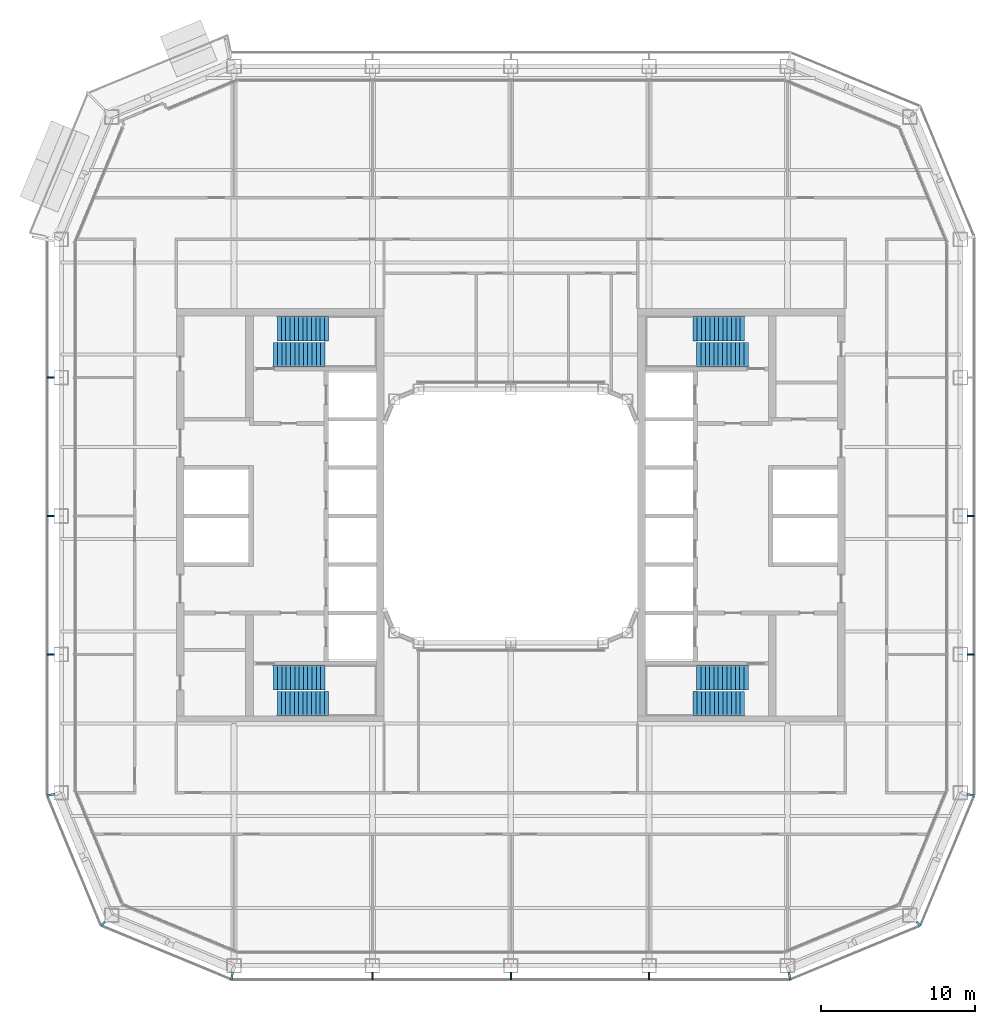
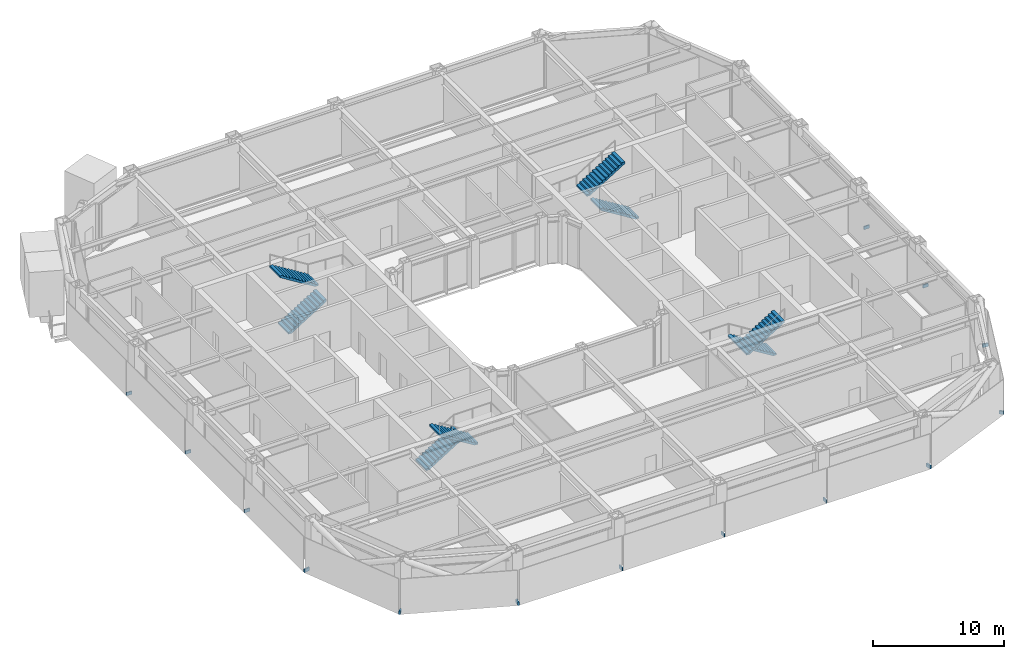
# One storey, part 15 of 23: 14 discrete accessories, 8 stair flights, 4 elements without a shape of their own.
"""IFC4 building model written with IfcOpenShell, lengths in metres."""

import ifcopenshell
import ifcopenshell.guid

model = None  # the IFC model being written
_history = None  # IfcOwnerHistory: only IFC2X3 demands one
_inside = {}  # id of a spatial element -> (the spatial element, [elements in it])
_under = {}  # id of a project, library or spatial element -> (it, [spatial elements below it])
_declared = {}  # id of a project -> (the project, [libraries it declares])
_typed = {}  # id of a type object -> (the type object, [elements of that type])
_made_of = {}  # id of a material, layer set ... -> (it, [elements and type objects made of it])


def new_model(schema):
    """Start an empty IFC model of exactly this schema.

    Asked for "IFC4X3", IfcOpenShell would pick the latest addendum, in which some entities
    have other attributes; the version numbers below select the first issue.
    IFC2X3 requires an IfcOwnerHistory on every rooted entity: one is made here for all.
    """
    global model, _history
    if schema == "IFC4X3":
        model = ifcopenshell.file(schema_version=(4, 3, 0, 0))
    else:
        model = ifcopenshell.file(schema=schema)
    _inside.clear()
    _under.clear()
    _declared.clear()
    _typed.clear()
    _made_of.clear()
    _history = None
    if model.schema == "IFC2X3":
        org = make("IfcOrganization", Name="unknown")
        user = make(
            "IfcPersonAndOrganization",
            ThePerson=make("IfcPerson", FamilyName="unknown"),
            TheOrganization=org,
        )
        app = make(
            "IfcApplication",
            ApplicationDeveloper=org,
            Version="unknown",
            ApplicationFullName="unknown",
            ApplicationIdentifier="unknown",
        )
        _history = make(
            "IfcOwnerHistory",
            OwningUser=user,
            OwningApplication=app,
            ChangeAction="ADDED",
            CreationDate=0,
        )
    return model


def make(cls, **values):
    """One entity of the class cls with the attributes given. An attribute that is None is left unset."""
    return model.create_entity(
        cls, **{name: value for name, value in values.items() if value is not None}
    )


def rooted(cls, **values):
    """An entity with a GlobalId (a new one), such as an element, a storey or a relation."""
    return make(cls, GlobalId=ifcopenshell.guid.new(), OwnerHistory=_history, **values)


def si_unit(unit_type, name, prefix=None):
    """IfcSIUnit, for example si_unit("LENGTHUNIT", "METRE", prefix="MILLI")."""
    return make("IfcSIUnit", UnitType=unit_type, Prefix=prefix, Name=name)


def assignment(units):
    """IfcUnitAssignment: the units of a project."""
    return None if units is None else make("IfcUnitAssignment", Units=units)


def point(xyz):
    """IfcCartesianPoint."""
    return None if xyz is None else make("IfcCartesianPoint", Coordinates=xyz)


def direction(xyz):
    """IfcDirection."""
    return None if xyz is None else make("IfcDirection", DirectionRatios=xyz)


def frame(location, z_axis=None, x_axis=None):
    """IfcAxis2Placement3D, a coordinate frame: its origin and axes. An axis left out is left unset."""
    return make(
        "IfcAxis2Placement3D",
        Location=point(location),
        Axis=direction(z_axis),
        RefDirection=direction(x_axis),
    )


def frame_2d(location, x_axis=None):
    """IfcAxis2Placement2D, a coordinate frame in the plane: its origin and x axis."""
    return make(
        "IfcAxis2Placement2D", Location=point(location), RefDirection=direction(x_axis)
    )


def origin():
    """The frame at (0, 0, 0) with its axes left unset."""
    return frame((0.0, 0.0, 0.0))


def origin_2d():
    """The frame at (0, 0) in the plane with its x axis left unset."""
    return frame_2d((0.0, 0.0))


def place(relative_to, where):
    """IfcLocalPlacement: puts the frame where relative to a parent placement (None: the world)."""
    return make(
        "IfcLocalPlacement", PlacementRelTo=relative_to, RelativePlacement=where
    )


def context(
    kind, dimensions, precision=None, world=None, true_north=None, identifier=None
):
    """IfcGeometricRepresentationContext, for example the 3D "Model" context."""
    return make(
        "IfcGeometricRepresentationContext",
        ContextIdentifier=identifier,
        ContextType=kind,
        CoordinateSpaceDimension=dimensions,
        Precision=precision,
        WorldCoordinateSystem=world,
        TrueNorth=true_north,
    )


def subcontext(parent, identifier, kind, view, scale=None):
    """IfcGeometricRepresentationSubContext, for example "Body" below "Model"."""
    return make(
        "IfcGeometricRepresentationSubContext",
        ContextIdentifier=identifier,
        ContextType=kind,
        ParentContext=parent,
        TargetScale=scale,
        TargetView=view,
    )


def project(units=None, contexts=None):
    """IfcProject with its units and contexts."""
    return rooted(
        "IfcProject",
        Name="project",
        RepresentationContexts=contexts,
        UnitsInContext=assignment(units),
    )


def spatial(cls, under=None, at=None, **own):
    """A site, building, storey or space (cls), placed at a placement, below another one or the project."""
    s = rooted(cls, ObjectPlacement=at, **own)
    if under is not None:
        _under.setdefault(under.id(), (under, []))[1].append(s)
    return s


def polyline(points):
    """IfcPolyline through the points."""
    return make("IfcPolyline", Points=[point(p) for p in points])


def profile(cls, at=None, kind="AREA", **sizes):
    """A parametric profile (cls). Its sizes go by their IFC names, for example OverallWidth=200.0."""
    return make(cls, ProfileType=kind, Position=at, **sizes)


def rectangle(**sizes):
    """IfcRectangleProfileDef."""
    return profile("IfcRectangleProfileDef", **sizes)


def outline(outer, holes=None, kind="AREA"):
    """IfcArbitraryClosedProfileDef: a profile drawn as a closed curve; with holes, ...WithVoids."""
    if holes is None:
        return make("IfcArbitraryClosedProfileDef", ProfileType=kind, OuterCurve=outer)
    return make(
        "IfcArbitraryProfileDefWithVoids",
        ProfileType=kind,
        OuterCurve=outer,
        InnerCurves=holes,
    )


def extrude(swept, where, along, depth):
    """IfcExtrudedAreaSolid: the profile swept, set in the frame where, extruded along a direction by depth."""
    return make(
        "IfcExtrudedAreaSolid",
        SweptArea=swept,
        Position=where,
        ExtrudedDirection=direction(along),
        Depth=depth,
    )


def shape(context_of_items, identifier, shape_type, items):
    """IfcShapeRepresentation: the items that make up one representation, for example the "Body"."""
    return make(
        "IfcShapeRepresentation",
        ContextOfItems=context_of_items,
        RepresentationIdentifier=identifier,
        RepresentationType=shape_type,
        Items=items,
    )


def material(Name=None, Category=None):
    """IfcMaterial."""
    return make("IfcMaterial", Name=Name, Category=Category)


def made_of(thing, what):
    """Note that an element or type object is made of a material, layer set ...; save() writes the relation."""
    if what is not None:
        _made_of.setdefault(what.id(), (what, []))[1].append(thing)
    return thing


def type_object(cls, material=None, **own):
    """A type object (cls), such as IfcWallType, which elements share."""
    return made_of(rooted(cls, **own), material)


def element(
    cls,
    number,
    at=None,
    inside=None,
    cuts=None,
    type_object=None,
    material=None,
    context=None,
    identifier="Body",
    shape_type=None,
    held_by="IfcProductDefinitionShape",
    body=None,
    shapes=None,
    **own,
):
    """One element of the class cls, such as IfcWall. Its Tag is "e" and its number.

    at: its placement. inside: the storey or other place that contains it. cuts: it is an
    opening in that element (IfcRelVoidsElement). A single representation is given by context,
    identifier, shape_type and body (its items); several are given by shapes. held_by: the class
    of the entity that holds the representations. save() writes the other relations.
    """
    e = rooted(cls, Tag="e%d" % number, ObjectPlacement=at, **own)
    if body is not None:
        shapes = [shape(context, identifier, shape_type, body)]
    if shapes is not None:
        e.Representation = make(held_by, Representations=shapes)
    if inside is not None:
        _inside.setdefault(inside.id(), (inside, []))[1].append(e)
    if cuts is not None:
        rooted(
            "IfcRelVoidsElement", RelatingBuildingElement=cuts, RelatedOpeningElement=e
        )
    if type_object is not None:
        _typed.setdefault(type_object.id(), (type_object, []))[1].append(e)
    return made_of(e, material)


def aggregate(whole, parts):
    """IfcRelAggregates: a whole, such as a stair, and the parts it consists of."""
    return rooted("IfcRelAggregates", RelatingObject=whole, RelatedObjects=parts)


def save(model, path):
    """Write the relations noted so far, then the file.

    IfcRelAggregates (storeys below a building ...), IfcRelContainedInSpatialStructure (elements
    in a storey), IfcRelDefinesByType, IfcRelAssociatesMaterial and IfcRelDeclares: one each for
    every whole, place, type object, material and project.
    """
    for whole, parts in _under.values():
        aggregate(whole, parts)
    for where, things in _inside.values():
        rooted(
            "IfcRelContainedInSpatialStructure",
            RelatedElements=things,
            RelatingStructure=where,
        )
    for kind, things in _typed.values():
        rooted("IfcRelDefinesByType", RelatedObjects=things, RelatingType=kind)
    for what, things in _made_of.values():
        rooted("IfcRelAssociatesMaterial", RelatedObjects=things, RelatingMaterial=what)
    for by, libraries in _declared.values():
        rooted("IfcRelDeclares", RelatingContext=by, RelatedDefinitions=libraries)
    model.write(path)


model = new_model("IFC4")

# Units and contexts
model_context = context("Model", 3, precision=1e-05, world=origin(), true_north=direction((0.0, 1.0)))
body_context = subcontext(model_context, "Body", "Model", "MODEL_VIEW")
ifc_project = project(units=[si_unit("LENGTHUNIT", "METRE"), si_unit("AREAUNIT", "SQUARE_METRE"), si_unit("VOLUMEUNIT", "CUBIC_METRE"), si_unit("PLANEANGLEUNIT", "RADIAN"), si_unit("MASSUNIT", "GRAM", prefix="KILO")], contexts=[model_context])

# Site, building, storey
site_placement = place(None, origin())
site = spatial("IfcSite", under=ifc_project, at=site_placement, CompositionType="ELEMENT")
building_placement = place(site_placement, origin())
building = spatial("IfcBuilding", under=site, at=building_placement, Name="Siwar Civic Tower", CompositionType="ELEMENT")
storey_placement = place(building_placement, frame((0.0, 0.0, 118.199951171875)))
storey = spatial("IfcBuildingStorey", under=building, at=storey_placement, Name="L25", CompositionType="ELEMENT", Elevation=118.199951171875)

# Stair, stair flights
ifc_material_1 = material(Name="Concrete C40/50", Category="concrete")
stair_type = type_object("IfcStairType", Name="CORE-STAIR", PredefinedType="TWO_STRAIGHT_RUN_STAIR", material=ifc_material_1)
stair_1_placement = place(storey_placement, origin())
stair_1 = element("IfcStair", 1, at=stair_1_placement, inside=storey, type_object=stair_type, Name="Exit stair ST1", PredefinedType="TWO_STRAIGHT_RUN_STAIR")
ifc_material_2 = material(Name="Concrete C40/50", Category="concrete")
stair_flight_type = type_object("IfcStairFlightType", Name="CORE-STAIR-FLIGHT", PredefinedType="STRAIGHT", material=ifc_material_2)
stair_flight_1_placement = place(storey_placement, frame((-15.449951171875, 10.5, 0.0), z_axis=(0.0, 0.0, 1.0), x_axis=(1.0, 0.0, 0.0)))
stair_flight_1 = element("IfcStairFlight", 2, at=stair_flight_1_placement, type_object=stair_flight_type, Name="ST1 flight 1", NumberOfRisers=13, NumberOfTreads=12, PredefinedType="STRAIGHT", RiserHeight=0.173076923, TreadLength=0.28, context=body_context, shape_type="SweptSolid", body=[
    extrude(outline(polyline([(0.0, 0.0), (0.0, 0.173095703125), (0.280029296875, 0.173095703125), (0.280029296875, 0.34619140625), (0.56005859375, 0.34619140625), (0.56005859375, 0.519287109375), (0.840087890625, 0.519287109375), (0.840087890625, 0.6923828125), (1.1201171875, 0.6923828125), (1.1201171875, 0.865478515625), (1.39990234375, 0.865478515625), (1.39990234375, 1.03857421875), (1.679931640625, 1.03857421875), (1.679931640625, 1.21142578125), (1.9599609375, 1.21142578125), (1.9599609375, 1.384521484375), (2.239990234375, 1.384521484375), (2.239990234375, 1.5576171875), (2.52001953125, 1.5576171875), (2.52001953125, 1.730712890625), (2.800048828125, 1.730712890625), (2.800048828125, 1.90380859375), (3.080078125, 1.90380859375), (3.080078125, 2.076904296875), (3.360107421875, 2.076904296875), (3.360107421875, 2.25), (3.360107421875, 1.900634765625), (0.28515625, 0.0), (0.0, 0.0)])), frame((0.0, 0.800048828125, 0.0), z_axis=(0.0, -1.0, 0.0), x_axis=(1.0, 0.0, 0.0)), (0.0, 0.0, 1.0), 1.60009765625),
])
stair_flight_2_placement = place(storey_placement, frame((-11.840087890625, 12.199951171875, 2.25), z_axis=(0.0, 0.0, 1.0), x_axis=(-1.0, 0.0, 0.0)))
stair_flight_2 = element("IfcStairFlight", 3, at=stair_flight_2_placement, type_object=stair_flight_type, Name="ST1 flight 2", NumberOfRisers=13, NumberOfTreads=12, PredefinedType="STRAIGHT", RiserHeight=0.173076923, TreadLength=0.28, context=body_context, shape_type="SweptSolid", body=[
    extrude(outline(polyline([(0.0, 0.0), (0.0, 0.173095703125), (0.280029296875, 0.173095703125), (0.280029296875, 0.34619140625), (0.56005859375, 0.34619140625), (0.56005859375, 0.519287109375), (0.840087890625, 0.519287109375), (0.840087890625, 0.6923828125), (1.1201171875, 0.6923828125), (1.1201171875, 0.865478515625), (1.39990234375, 0.865478515625), (1.39990234375, 1.03857421875), (1.679931640625, 1.03857421875), (1.679931640625, 1.21142578125), (1.9599609375, 1.21142578125), (1.9599609375, 1.384521484375), (2.239990234375, 1.384521484375), (2.239990234375, 1.5576171875), (2.52001953125, 1.5576171875), (2.52001953125, 1.730712890625), (2.800048828125, 1.730712890625), (2.800048828125, 1.90380859375), (3.080078125, 1.90380859375), (3.080078125, 2.076904296875), (3.360107421875, 2.076904296875), (3.360107421875, 2.25), (3.360107421875, 1.900634765625), (0.28515625, 0.0), (0.0, 0.0)])), frame((0.0, 0.800048828125, 0.0), z_axis=(0.0, -1.0, 0.0), x_axis=(1.0, 0.0, 0.0)), (0.0, 0.0, 1.0), 1.60009765625),
])
aggregate(stair_1, [stair_flight_1, stair_flight_2])

stair_2_placement = place(storey_placement, origin())
stair_2 = element("IfcStair", 4, at=stair_2_placement, inside=storey, type_object=stair_type, Name="Exit stair ST2", PredefinedType="TWO_STRAIGHT_RUN_STAIR")
stair_flight_3_placement = place(storey_placement, frame((-15.449951171875, -10.5, 0.0), z_axis=(0.0, 0.0, 1.0), x_axis=(1.0, 0.0, 0.0)))
stair_flight_3 = element("IfcStairFlight", 5, at=stair_flight_3_placement, type_object=stair_flight_type, Name="ST2 flight 1", NumberOfRisers=13, NumberOfTreads=12, PredefinedType="STRAIGHT", RiserHeight=0.173076923, TreadLength=0.28, context=body_context, shape_type="SweptSolid", body=[
    extrude(outline(polyline([(0.0, 0.0), (0.0, 0.173095703125), (0.280029296875, 0.173095703125), (0.280029296875, 0.34619140625), (0.56005859375, 0.34619140625), (0.56005859375, 0.519287109375), (0.840087890625, 0.519287109375), (0.840087890625, 0.6923828125), (1.1201171875, 0.6923828125), (1.1201171875, 0.865478515625), (1.39990234375, 0.865478515625), (1.39990234375, 1.03857421875), (1.679931640625, 1.03857421875), (1.679931640625, 1.21142578125), (1.9599609375, 1.21142578125), (1.9599609375, 1.384521484375), (2.239990234375, 1.384521484375), (2.239990234375, 1.5576171875), (2.52001953125, 1.5576171875), (2.52001953125, 1.730712890625), (2.800048828125, 1.730712890625), (2.800048828125, 1.90380859375), (3.080078125, 1.90380859375), (3.080078125, 2.076904296875), (3.360107421875, 2.076904296875), (3.360107421875, 2.25), (3.360107421875, 1.900634765625), (0.28515625, 0.0), (0.0, 0.0)])), frame((0.0, 0.800048828125, 0.0), z_axis=(0.0, -1.0, 0.0), x_axis=(1.0, 0.0, 0.0)), (0.0, 0.0, 1.0), 1.60009765625),
])
stair_flight_4_placement = place(storey_placement, frame((-11.840087890625, -12.199951171875, 2.25), z_axis=(0.0, 0.0, 1.0), x_axis=(-1.0, 0.0, 0.0)))
stair_flight_4 = element("IfcStairFlight", 6, at=stair_flight_4_placement, type_object=stair_flight_type, Name="ST2 flight 2", NumberOfRisers=13, NumberOfTreads=12, PredefinedType="STRAIGHT", RiserHeight=0.173076923, TreadLength=0.28, context=body_context, shape_type="SweptSolid", body=[
    extrude(outline(polyline([(0.0, 0.0), (0.0, 0.173095703125), (0.280029296875, 0.173095703125), (0.280029296875, 0.34619140625), (0.56005859375, 0.34619140625), (0.56005859375, 0.519287109375), (0.840087890625, 0.519287109375), (0.840087890625, 0.6923828125), (1.1201171875, 0.6923828125), (1.1201171875, 0.865478515625), (1.39990234375, 0.865478515625), (1.39990234375, 1.03857421875), (1.679931640625, 1.03857421875), (1.679931640625, 1.21142578125), (1.9599609375, 1.21142578125), (1.9599609375, 1.384521484375), (2.239990234375, 1.384521484375), (2.239990234375, 1.5576171875), (2.52001953125, 1.5576171875), (2.52001953125, 1.730712890625), (2.800048828125, 1.730712890625), (2.800048828125, 1.90380859375), (3.080078125, 1.90380859375), (3.080078125, 2.076904296875), (3.360107421875, 2.076904296875), (3.360107421875, 2.25), (3.360107421875, 1.900634765625), (0.28515625, 0.0), (0.0, 0.0)])), frame((0.0, 0.800048828125, 0.0), z_axis=(0.0, -1.0, 0.0), x_axis=(1.0, 0.0, 0.0)), (0.0, 0.0, 1.0), 1.60009765625),
])
aggregate(stair_2, [stair_flight_3, stair_flight_4])

stair_3_placement = place(storey_placement, origin())
stair_3 = element("IfcStair", 7, at=stair_3_placement, inside=storey, type_object=stair_type, Name="Exit stair ST3", PredefinedType="TWO_STRAIGHT_RUN_STAIR")
stair_flight_5_placement = place(storey_placement, frame((15.449951171875, 10.5, 0.0), z_axis=(0.0, 0.0, 1.0), x_axis=(-1.0, 0.0, 0.0)))
stair_flight_5 = element("IfcStairFlight", 8, at=stair_flight_5_placement, type_object=stair_flight_type, Name="ST3 flight 1", NumberOfRisers=13, NumberOfTreads=12, PredefinedType="STRAIGHT", RiserHeight=0.173076923, TreadLength=0.28, context=body_context, shape_type="SweptSolid", body=[
    extrude(outline(polyline([(0.0, 0.0), (0.0, 0.173095703125), (0.280029296875, 0.173095703125), (0.280029296875, 0.34619140625), (0.56005859375, 0.34619140625), (0.56005859375, 0.519287109375), (0.840087890625, 0.519287109375), (0.840087890625, 0.6923828125), (1.1201171875, 0.6923828125), (1.1201171875, 0.865478515625), (1.39990234375, 0.865478515625), (1.39990234375, 1.03857421875), (1.679931640625, 1.03857421875), (1.679931640625, 1.21142578125), (1.9599609375, 1.21142578125), (1.9599609375, 1.384521484375), (2.239990234375, 1.384521484375), (2.239990234375, 1.5576171875), (2.52001953125, 1.5576171875), (2.52001953125, 1.730712890625), (2.800048828125, 1.730712890625), (2.800048828125, 1.90380859375), (3.080078125, 1.90380859375), (3.080078125, 2.076904296875), (3.360107421875, 2.076904296875), (3.360107421875, 2.25), (3.360107421875, 1.900634765625), (0.28515625, 0.0), (0.0, 0.0)])), frame((0.0, 0.800048828125, 0.0), z_axis=(0.0, -1.0, 0.0), x_axis=(1.0, 0.0, 0.0)), (0.0, 0.0, 1.0), 1.60009765625),
])
stair_flight_6_placement = place(storey_placement, frame((11.840087890625, 12.199951171875, 2.25), z_axis=(0.0, 0.0, 1.0), x_axis=(1.0, 0.0, 0.0)))
stair_flight_6 = element("IfcStairFlight", 9, at=stair_flight_6_placement, type_object=stair_flight_type, Name="ST3 flight 2", NumberOfRisers=13, NumberOfTreads=12, PredefinedType="STRAIGHT", RiserHeight=0.173076923, TreadLength=0.28, context=body_context, shape_type="SweptSolid", body=[
    extrude(outline(polyline([(0.0, 0.0), (0.0, 0.173095703125), (0.280029296875, 0.173095703125), (0.280029296875, 0.34619140625), (0.56005859375, 0.34619140625), (0.56005859375, 0.519287109375), (0.840087890625, 0.519287109375), (0.840087890625, 0.6923828125), (1.1201171875, 0.6923828125), (1.1201171875, 0.865478515625), (1.39990234375, 0.865478515625), (1.39990234375, 1.03857421875), (1.679931640625, 1.03857421875), (1.679931640625, 1.21142578125), (1.9599609375, 1.21142578125), (1.9599609375, 1.384521484375), (2.239990234375, 1.384521484375), (2.239990234375, 1.5576171875), (2.52001953125, 1.5576171875), (2.52001953125, 1.730712890625), (2.800048828125, 1.730712890625), (2.800048828125, 1.90380859375), (3.080078125, 1.90380859375), (3.080078125, 2.076904296875), (3.360107421875, 2.076904296875), (3.360107421875, 2.25), (3.360107421875, 1.900634765625), (0.28515625, 0.0), (0.0, 0.0)])), frame((0.0, 0.800048828125, 0.0), z_axis=(0.0, -1.0, 0.0), x_axis=(1.0, 0.0, 0.0)), (0.0, 0.0, 1.0), 1.60009765625),
])
aggregate(stair_3, [stair_flight_5, stair_flight_6])

stair_4_placement = place(storey_placement, origin())
stair_4 = element("IfcStair", 10, at=stair_4_placement, inside=storey, type_object=stair_type, Name="Exit stair ST4", PredefinedType="TWO_STRAIGHT_RUN_STAIR")
stair_flight_7_placement = place(storey_placement, frame((15.449951171875, -10.5, 0.0), z_axis=(0.0, 0.0, 1.0), x_axis=(-1.0, 0.0, 0.0)))
stair_flight_7 = element("IfcStairFlight", 11, at=stair_flight_7_placement, type_object=stair_flight_type, Name="ST4 flight 1", NumberOfRisers=13, NumberOfTreads=12, PredefinedType="STRAIGHT", RiserHeight=0.173076923, TreadLength=0.28, context=body_context, shape_type="SweptSolid", body=[
    extrude(outline(polyline([(0.0, 0.0), (0.0, 0.173095703125), (0.280029296875, 0.173095703125), (0.280029296875, 0.34619140625), (0.56005859375, 0.34619140625), (0.56005859375, 0.519287109375), (0.840087890625, 0.519287109375), (0.840087890625, 0.6923828125), (1.1201171875, 0.6923828125), (1.1201171875, 0.865478515625), (1.39990234375, 0.865478515625), (1.39990234375, 1.03857421875), (1.679931640625, 1.03857421875), (1.679931640625, 1.21142578125), (1.9599609375, 1.21142578125), (1.9599609375, 1.384521484375), (2.239990234375, 1.384521484375), (2.239990234375, 1.5576171875), (2.52001953125, 1.5576171875), (2.52001953125, 1.730712890625), (2.800048828125, 1.730712890625), (2.800048828125, 1.90380859375), (3.080078125, 1.90380859375), (3.080078125, 2.076904296875), (3.360107421875, 2.076904296875), (3.360107421875, 2.25), (3.360107421875, 1.900634765625), (0.28515625, 0.0), (0.0, 0.0)])), frame((0.0, 0.800048828125, 0.0), z_axis=(0.0, -1.0, 0.0), x_axis=(1.0, 0.0, 0.0)), (0.0, 0.0, 1.0), 1.60009765625),
])
stair_flight_8_placement = place(storey_placement, frame((11.840087890625, -12.199951171875, 2.25), z_axis=(0.0, 0.0, 1.0), x_axis=(1.0, 0.0, 0.0)))
stair_flight_8 = element("IfcStairFlight", 12, at=stair_flight_8_placement, type_object=stair_flight_type, Name="ST4 flight 2", NumberOfRisers=13, NumberOfTreads=12, PredefinedType="STRAIGHT", RiserHeight=0.173076923, TreadLength=0.28, context=body_context, shape_type="SweptSolid", body=[
    extrude(outline(polyline([(0.0, 0.0), (0.0, 0.173095703125), (0.280029296875, 0.173095703125), (0.280029296875, 0.34619140625), (0.56005859375, 0.34619140625), (0.56005859375, 0.519287109375), (0.840087890625, 0.519287109375), (0.840087890625, 0.6923828125), (1.1201171875, 0.6923828125), (1.1201171875, 0.865478515625), (1.39990234375, 0.865478515625), (1.39990234375, 1.03857421875), (1.679931640625, 1.03857421875), (1.679931640625, 1.21142578125), (1.9599609375, 1.21142578125), (1.9599609375, 1.384521484375), (2.239990234375, 1.384521484375), (2.239990234375, 1.5576171875), (2.52001953125, 1.5576171875), (2.52001953125, 1.730712890625), (2.800048828125, 1.730712890625), (2.800048828125, 1.90380859375), (3.080078125, 1.90380859375), (3.080078125, 2.076904296875), (3.360107421875, 2.076904296875), (3.360107421875, 2.25), (3.360107421875, 1.900634765625), (0.28515625, 0.0), (0.0, 0.0)])), frame((0.0, 0.800048828125, 0.0), z_axis=(0.0, -1.0, 0.0), x_axis=(1.0, 0.0, 0.0)), (0.0, 0.0, 1.0), 1.60009765625),
])
aggregate(stair_4, [stair_flight_7, stair_flight_8])

# Discrete accessories
ifc_material_3 = material(Name="Stainless steel 316", Category="steel")
discrete_accessory_type = type_object("IfcDiscreteAccessoryType", Name="ENV-BRACKET", PredefinedType="BRACKET", material=ifc_material_3)
for number, where, z_axis, x_axis, name in (
    (13, (29.9150390625, -9.0, -0.14990234375), (0.0, 0.0, 1.0), (1.0, 0.0, 0.0), "Bracket outer skin joint E-01"),
    (14, (29.9150390625, 0.0, -0.14990234375), (0.0, 0.0, 1.0), (1.0, 0.0, 0.0), "Bracket outer skin joint E-02"),
    (15, (-9.0, -29.9150390625, -0.14990234375), (0.0, 0.0, 1.0), (0.0, -1.0, 0.0), "Bracket outer skin joint S-01"),
    (16, (0.0, -29.9150390625, -0.14990234375), (0.0, 0.0, 1.0), (0.0, -1.0, 0.0), "Bracket outer skin joint S-02"),
    (17, (9.0, -29.9150390625, -0.14990234375), (0.0, 0.0, 1.0), (0.0, -1.0, 0.0), "Bracket outer skin joint S-03"),
):
    element("IfcDiscreteAccessory", number, at=place(storey_placement, frame(where, z_axis=z_axis, x_axis=x_axis)), inside=storey, type_object=discrete_accessory_type, Name=name, PredefinedType="BRACKET", context=body_context, shape_type="SweptSolid", body=[
        extrude(rectangle(XDim=0.469970703125, YDim=0.10009765625, at=origin_2d()), origin(), (0.0, 0.0, 1.0), 0.300048828125),
    ])
for number, where, z_axis, x_axis, name in (
    (18, (-18.13232421875, -29.915283203125, -0.14990234375), (0.0, 0.0, 1.0), (-0.195090322016, -0.980785280403, 0.0), "Bracket outer skin joint V00"),
    (19, (18.13232421875, -29.915283203125, -0.14990234375), (0.0, 0.0, 1.0), (0.195090322016, -0.980785280403, 0.0), "Bracket outer skin joint V01"),
):
    element("IfcDiscreteAccessory", number, at=place(storey_placement, frame(where, z_axis=z_axis, x_axis=x_axis)), inside=storey, type_object=discrete_accessory_type, Name=name, PredefinedType="BRACKET", context=body_context, shape_type="SweptSolid", body=[
        extrude(rectangle(XDim=0.478759765625, YDim=0.13720703125, at=origin_2d()), origin(), (0.0, 0.0, 1.0), 0.300048828125),
    ])
discrete_accessory_1_placement = place(storey_placement, frame((26.517333984375, -26.517333984375, -0.14990234375), z_axis=(0.0, 0.0, 1.0), x_axis=(0.707106781187, -0.707106781187, 0.0)))
element("IfcDiscreteAccessory", 20, at=discrete_accessory_1_placement, inside=storey, type_object=discrete_accessory_type, Name="Bracket outer skin joint V02", PredefinedType="BRACKET", context=body_context, shape_type="SweptSolid", body=[
    extrude(rectangle(XDim=0.357666015625, YDim=0.12939453125, at=origin_2d()), origin(), (0.0, 0.0, 1.0), 0.300048828125),
])
for number, where, z_axis, x_axis, name in (
    (21, (29.915283203125, -18.13232421875, -0.14990234375), (0.0, 0.0, 1.0), (0.980785280403, -0.195090322016, 0.0), "Bracket outer skin joint V03"),
    (22, (-29.915283203125, -18.13232421875, -0.14990234375), (0.0, 0.0, 1.0), (-0.980785280403, -0.195090322016, 0.0), "Bracket outer skin joint V10"),
):
    element("IfcDiscreteAccessory", number, at=place(storey_placement, frame(where, z_axis=z_axis, x_axis=x_axis)), inside=storey, type_object=discrete_accessory_type, Name=name, PredefinedType="BRACKET", context=body_context, shape_type="SweptSolid", body=[
        extrude(rectangle(XDim=0.478759765625, YDim=0.13720703125, at=origin_2d()), origin(), (0.0, 0.0, 1.0), 0.300048828125),
    ])
discrete_accessory_2_placement = place(storey_placement, frame((-26.517333984375, -26.517333984375, -0.14990234375), z_axis=(0.0, 0.0, 1.0), x_axis=(-0.707106781187, -0.707106781187, 0.0)))
element("IfcDiscreteAccessory", 23, at=discrete_accessory_2_placement, inside=storey, type_object=discrete_accessory_type, Name="Bracket outer skin joint V11", PredefinedType="BRACKET", context=body_context, shape_type="SweptSolid", body=[
    extrude(rectangle(XDim=0.357666015625, YDim=0.12939453125, at=origin_2d()), origin(), (0.0, 0.0, 1.0), 0.300048828125),
])
for number, where, z_axis, x_axis, name in (
    (24, (-29.9150390625, 9.0, -0.14990234375), (0.0, 0.0, 1.0), (-1.0, 0.0, 0.0), "Bracket outer skin joint W-01"),
    (25, (-29.9150390625, 0.0, -0.14990234375), (0.0, 0.0, 1.0), (-1.0, 0.0, 0.0), "Bracket outer skin joint W-02"),
    (26, (-29.9150390625, -9.0, -0.14990234375), (0.0, 0.0, 1.0), (-1.0, 0.0, 0.0), "Bracket outer skin joint W-03"),
):
    element("IfcDiscreteAccessory", number, at=place(storey_placement, frame(where, z_axis=z_axis, x_axis=x_axis)), inside=storey, type_object=discrete_accessory_type, Name=name, PredefinedType="BRACKET", context=body_context, shape_type="SweptSolid", body=[
        extrude(rectangle(XDim=0.469970703125, YDim=0.10009765625, at=origin_2d()), origin(), (0.0, 0.0, 1.0), 0.300048828125),
    ])

save(model, "model.ifc")
